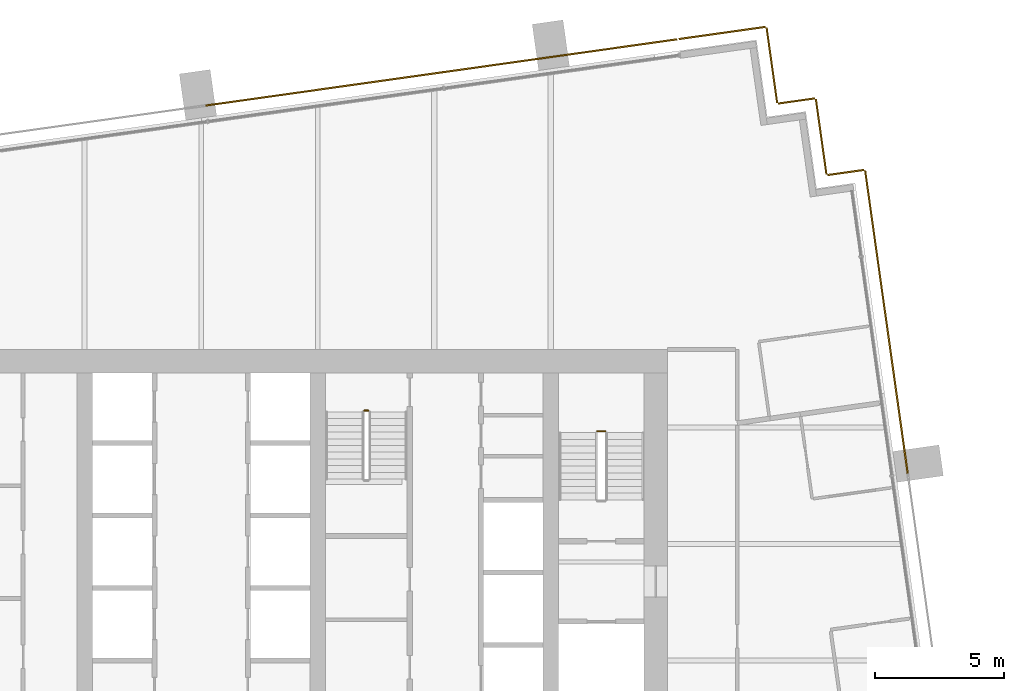
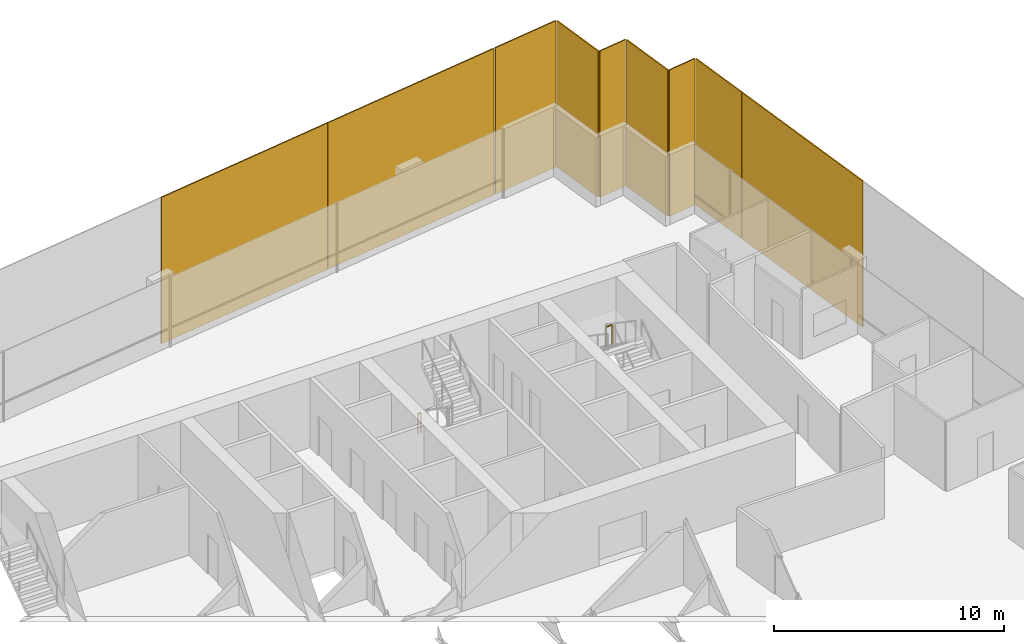
# One storey, part 17 of 17: 9 coverings, 2 railings.
"""IFC4 building model written with IfcOpenShell, lengths in metres."""

from ifc_helpers import new_model, si_unit, direction, frame, origin, origin_2d, place, context, subcontext, project, spatial, rectangle, extrude, material, layer, layer_set, type_object, element, save


model = new_model("IFC4")

# Units and contexts
model_context = context("Model", 3, precision=1e-05, world=origin(), true_north=direction((0.0, 1.0)))
body_context = subcontext(model_context, "Body", "Model", "MODEL_VIEW")
ifc_project = project(units=[si_unit("LENGTHUNIT", "METRE"), si_unit("AREAUNIT", "SQUARE_METRE"), si_unit("VOLUMEUNIT", "CUBIC_METRE"), si_unit("PLANEANGLEUNIT", "RADIAN"), si_unit("MASSUNIT", "GRAM", prefix="KILO")], contexts=[model_context])

# Site, building, storey
site_placement = place(None, origin())
site = spatial("IfcSite", under=ifc_project, at=site_placement, CompositionType="ELEMENT")
building_placement = place(site_placement, origin())
building = spatial("IfcBuilding", under=site, at=building_placement, Name="Rattan Terrace Tower", CompositionType="ELEMENT")
storey_placement = place(building_placement, frame((0.0, 0.0, 180.199951171875)))
storey = spatial("IfcBuildingStorey", under=building, at=storey_placement, Name="L41", CompositionType="ELEMENT", Elevation=180.199951171875)

# Railings
ifc_material_1 = material(Name="Powder-coated steel guard", Category="steel")
railing_type = type_object("IfcRailingType", Name="Core stair guard", PredefinedType="GUARDRAIL", material=ifc_material_1)
railing_1_placement = place(storey_placement, frame((15.60009765625, 4.35009765625, 1.949951171875)))
element("IfcRailing", 1, at=railing_1_placement, inside=storey, type_object=railing_type, Name="L41 S2 stair guard 2", PredefinedType="GUARDRAIL", context=body_context, shape_type="SweptSolid", body=[
    extrude(rectangle(XDim=0.048095703125, YDim=0.048095703125, at=origin_2d()), frame((0.0, 0.0, 1.076171875), z_axis=(-1.0, 0.0, 0.0), x_axis=(0.0, -1.0, 0.0)), (0.0, 0.0, 1.0), 0.300048828125),
    extrude(rectangle(XDim=0.0419921875, YDim=0.0419921875, at=origin_2d()), origin(), (0.0, 0.0, 1.0), 1.052001953125),
    extrude(rectangle(XDim=0.0419921875, YDim=0.0419921875, at=origin_2d()), frame((-0.300048828125, 0.0, 0.0)), (0.0, 0.0, 1.0), 1.052001953125),
])
railing_2_placement = place(storey_placement, frame((6.300048828125, 5.14990234375, 0.0)))
element("IfcRailing", 2, at=railing_2_placement, inside=storey, type_object=railing_type, Name="L41 S3 stair guard 4", PredefinedType="GUARDRAIL", context=body_context, shape_type="SweptSolid", body=[
    extrude(rectangle(XDim=0.048095703125, YDim=0.048095703125, at=origin_2d()), frame((0.0, 0.0, 1.076171875), z_axis=(1.0, 0.0, 0.0), x_axis=(0.0, 1.0, 0.0)), (0.0, 0.0, 1.0), 0.14990234375),
    extrude(rectangle(XDim=0.0419921875, YDim=0.0419921875, at=origin_2d()), origin(), (0.0, 0.0, 1.0), 1.052001953125),
    extrude(rectangle(XDim=0.0419921875, YDim=0.0419921875, at=origin_2d()), frame((0.14990234375, 0.0, 0.0)), (0.0, 0.0, 1.0), 1.052001953125),
])

# Coverings
ifc_material_2 = material(Name="Perforated terracotta", Category="masonry")
ifc_layer = layer(ifc_material_2, 0.06005859375)
ifc_layer_set = layer_set([ifc_layer], Name="Facade Terracotta Screen Panel")
covering_type = type_object("IfcCoveringType", Name="Facade Terracotta Screen Panel", PredefinedType="CLADDING", material=ifc_layer_set)
covering_1_placement = place(storey_placement, frame((26.6865234375, 6.945556640625, -0.18994140625), z_axis=(0.0, 0.0, 1.0), x_axis=(-0.139190856006, 0.99026557327, 0.0)))
element("IfcCovering", 3, at=covering_1_placement, inside=storey, type_object=covering_type, Name="OUTER SKIN panel L41-8", PredefinedType="CLADDING", context=body_context, shape_type="SweptSolid", body=[
    extrude(rectangle(XDim=8.530029296875, YDim=0.06005859375, at=origin_2d()), origin(), (0.0, 0.0, 1.0), 7.780029296875),
])
covering_2_placement = place(storey_placement, frame((25.86376953125, 12.79833984375, -0.18994140625), z_axis=(0.0, 0.0, 1.0), x_axis=(-0.139190856006, 0.99026557327, 0.0)))
element("IfcCovering", 4, at=covering_2_placement, inside=storey, type_object=covering_type, Name="OUTER SKIN panel L41-9", PredefinedType="CLADDING", context=body_context, shape_type="SweptSolid", body=[
    extrude(rectangle(XDim=3.25048828125, YDim=0.06005859375, at=origin_2d()), origin(), (0.0, 0.0, 1.0), 7.780029296875),
])
covering_3_placement = place(storey_placement, frame((24.889404296875, 14.3427734375, -0.18994140625), z_axis=(0.0, 0.0, 1.0), x_axis=(-0.990240767803, -0.139367219175, 0.0)))
element("IfcCovering", 5, at=covering_3_placement, inside=storey, type_object=covering_type, Name="OUTER SKIN panel L41-10", PredefinedType="CLADDING", context=body_context, shape_type="SweptSolid", body=[
    extrude(rectangle(XDim=1.419677734375, YDim=0.06005859375, at=origin_2d()), origin(), (0.0, 0.0, 1.0), 7.780029296875),
])
covering_4_placement = place(storey_placement, frame((23.93798828125, 15.723876953125, -0.18994140625), z_axis=(0.0, 0.0, 1.0), x_axis=(-0.139321220646, 0.990247240581, 0.0)))
element("IfcCovering", 6, at=covering_4_placement, inside=storey, type_object=covering_type, Name="OUTER SKIN panel L41-11", PredefinedType="CLADDING", context=body_context, shape_type="SweptSolid", body=[
    extrude(rectangle(XDim=2.920166015625, YDim=0.06005859375, at=origin_2d()), origin(), (0.0, 0.0, 1.0), 7.780029296875),
])
covering_5_placement = place(storey_placement, frame((22.986328125, 17.104736328125, -0.18994140625), z_axis=(0.0, 0.0, 1.0), x_axis=(-0.990240767803, -0.139367219175, 0.0)))
element("IfcCovering", 7, at=covering_5_placement, inside=storey, type_object=covering_type, Name="OUTER SKIN panel L41-12", PredefinedType="CLADDING", context=body_context, shape_type="SweptSolid", body=[
    extrude(rectangle(XDim=1.419677734375, YDim=0.06005859375, at=origin_2d()), origin(), (0.0, 0.0, 1.0), 7.780029296875),
])
covering_6_placement = place(storey_placement, frame((22.034912109375, 18.48583984375, -0.18994140625), z_axis=(0.0, 0.0, 1.0), x_axis=(-0.139321220646, 0.990247240581, 0.0)))
element("IfcCovering", 8, at=covering_6_placement, inside=storey, type_object=covering_type, Name="OUTER SKIN panel L41-13", PredefinedType="CLADDING", context=body_context, shape_type="SweptSolid", body=[
    extrude(rectangle(XDim=2.920166015625, YDim=0.06005859375, at=origin_2d()), origin(), (0.0, 0.0, 1.0), 7.780029296875),
])
covering_7_placement = place(storey_placement, frame((20.1181640625, 19.73095703125, -0.18994140625), z_axis=(0.0, 0.0, 1.0), x_axis=(-0.990240767803, -0.139367219175, 0.0)))
element("IfcCovering", 9, at=covering_7_placement, inside=storey, type_object=covering_type, Name="OUTER SKIN panel L41-14", PredefinedType="CLADDING", context=body_context, shape_type="SweptSolid", body=[
    extrude(rectangle(XDim=3.369140625, YDim=0.06005859375, at=origin_2d()), origin(), (0.0, 0.0, 1.0), 7.780029296875),
])
covering_8_placement = place(storey_placement, frame((13.833740234375, 18.847412109375, -0.18994140625), z_axis=(0.0, 0.0, 1.0), x_axis=(-0.990269702686, -0.139161474347, 0.0)))
element("IfcCovering", 10, at=covering_8_placement, inside=storey, type_object=covering_type, Name="OUTER SKIN panel L41-15", PredefinedType="CLADDING", context=body_context, shape_type="SweptSolid", body=[
    extrude(rectangle(XDim=9.162841796875, YDim=0.06005859375, at=origin_2d()), origin(), (0.0, 0.0, 1.0), 7.780029296875),
])
covering_9_placement = place(storey_placement, frame((4.725341796875, 17.5673828125, -0.18994140625), z_axis=(0.0, 0.0, 1.0), x_axis=(-0.990269702686, -0.139161474347, 0.0)))
element("IfcCovering", 11, at=covering_9_placement, inside=storey, type_object=covering_type, Name="OUTER SKIN panel L41-16", PredefinedType="CLADDING", context=body_context, shape_type="SweptSolid", body=[
    extrude(rectangle(XDim=9.193115234375, YDim=0.06005859375, at=origin_2d()), origin(), (0.0, 0.0, 1.0), 7.780029296875),
])

save(model, "model.ifc")
